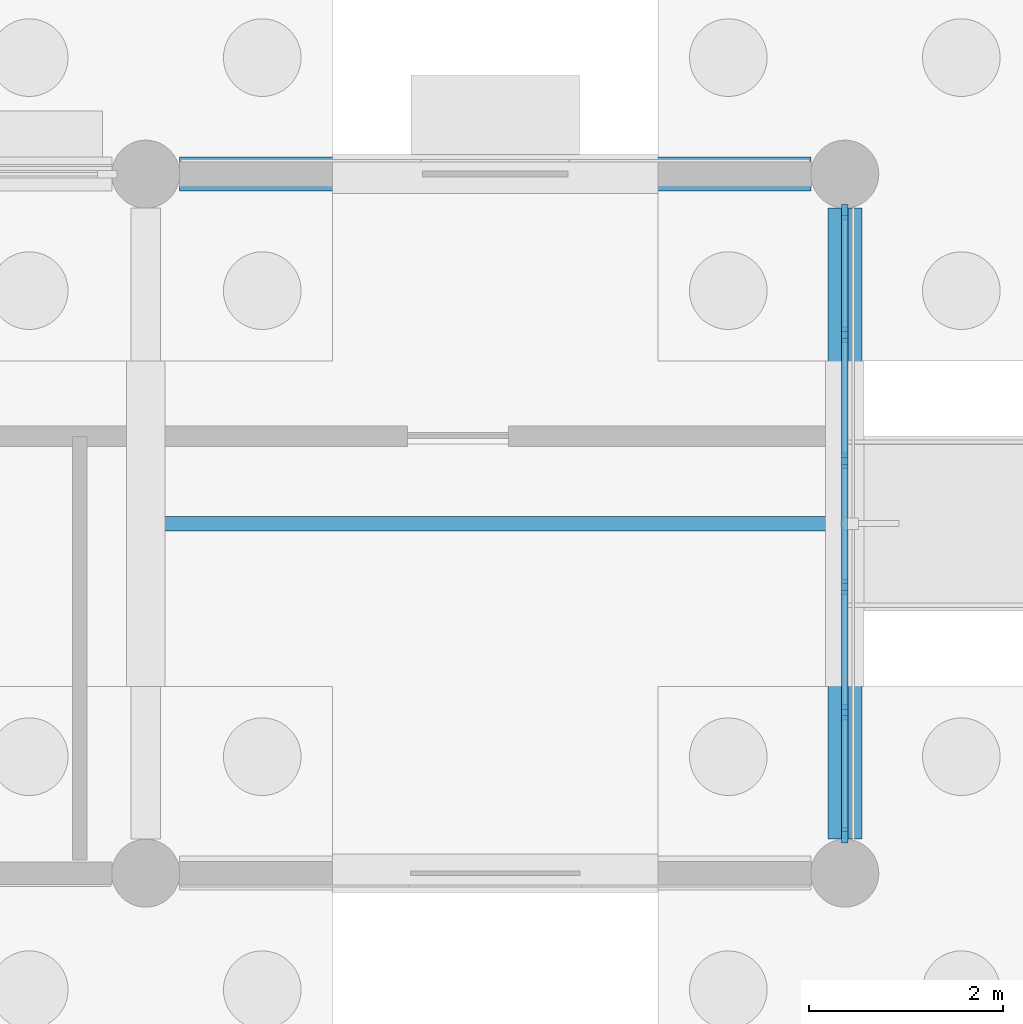
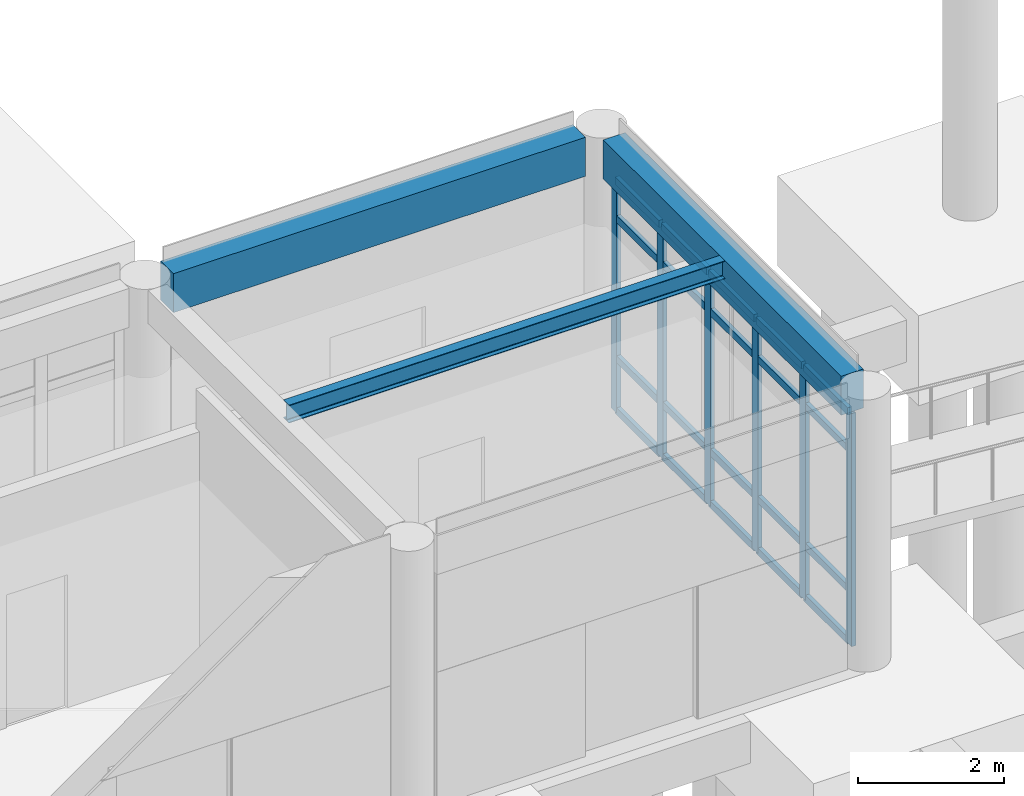
# One storey, part 38 of 103: 26 members, 3 beams, 1 element without a shape of its own.
"""IFC4 building model written with IfcOpenShell, lengths in metres."""

from ifc_helpers import new_model, si_unit, direction, frame, origin, origin_2d, place, context, subcontext, project, spatial, rectangle, i_section, extrude, material, layer, layer_set, material_profile, profile_set, type_object, element, aggregate, save


model = new_model("IFC4")

# Units and contexts
model_context = context("Model", 3, precision=1e-05, world=origin(), true_north=direction((0.0, 1.0)))
body_context = subcontext(model_context, "Body", "Model", "MODEL_VIEW")
ifc_project = project(units=[si_unit("LENGTHUNIT", "METRE"), si_unit("AREAUNIT", "SQUARE_METRE"), si_unit("VOLUMEUNIT", "CUBIC_METRE"), si_unit("PLANEANGLEUNIT", "RADIAN"), si_unit("MASSUNIT", "GRAM", prefix="KILO")], contexts=[model_context])

# Site, building, storey
site_placement = place(None, origin())
site = spatial("IfcSite", under=ifc_project, at=site_placement, CompositionType="ELEMENT")
building_placement = place(site_placement, origin())
building = spatial("IfcBuilding", under=site, at=building_placement, Name="Namkhue Oval Health Centre", CompositionType="ELEMENT")
storey_placement = place(building_placement, origin())
storey = spatial("IfcBuildingStorey", under=building, at=storey_placement, Name="L00", CompositionType="ELEMENT", Elevation=0.0)

# Curtain wall, members
ifc_material_1 = material(Name="Anodised aluminium EN AW-6063 T6", Category="aluminium")
ifc_layer = layer(ifc_material_1, 0.159912109375)
ifc_layer_set = layer_set([ifc_layer], Name="Anodised aluminium EN AW-6063 T6")
curtain_wall_type = type_object("IfcCurtainWallType", Name="UNITISED CURTAIN WALL M1200", PredefinedType="NOTDEFINED", material=ifc_layer_set)
curtain_wall_placement = place(storey_placement, origin())
curtain_wall = element("IfcCurtainWall", 1, at=curtain_wall_placement, inside=storey, type_object=curtain_wall_type, Name="Volume V3 L00 Unitised Curtain Wall 91", PredefinedType="NOTDEFINED")
ifc_material_profile_1 = material_profile(ifc_material_1, rectangle(XDim=0.06494140625, YDim=0.159912109375, at=origin_2d()), Name="ALU 65x160")
ifc_profile_set_1 = profile_set([ifc_material_profile_1], Name="Anodised aluminium EN AW-6063 T6")
member_type_1 = type_object("IfcMemberType", Name="CURTAIN WALL MULLION 65X160", PredefinedType="MULLION", material=ifc_profile_set_1)
member_1_placement = place(storey_placement, frame((136.800048828125, 90.392578125, 0.0), z_axis=(0.0, 0.0, 1.0), x_axis=(-1.0, 0.0, 0.0)))
member_1 = element("IfcMember", 2, at=member_1_placement, type_object=member_type_1, Name="CW-01 mullion 1", PredefinedType="MULLION", context=body_context, shape_type="SweptSolid", body=[
    extrude(rectangle(XDim=0.06494140625, YDim=0.159912109375, at=origin_2d()), origin(), (0.0, 0.0, 1.0), 3.885009765625),
])
member_2_placement = place(storey_placement, frame((136.800048828125, 91.656005859375, 0.0), z_axis=(0.0, 0.0, 1.0), x_axis=(-1.0, 0.0, 0.0)))
member_2 = element("IfcMember", 3, at=member_2_placement, type_object=member_type_1, Name="CW-01 mullion 2", PredefinedType="MULLION", context=body_context, shape_type="SweptSolid", body=[
    extrude(rectangle(XDim=0.06494140625, YDim=0.159912109375, at=origin_2d()), origin(), (0.0, 0.0, 1.0), 3.885009765625),
])
member_3_placement = place(storey_placement, frame((136.800048828125, 92.951904296875, 0.0), z_axis=(0.0, 0.0, 1.0), x_axis=(-1.0, 0.0, 0.0)))
member_3 = element("IfcMember", 4, at=member_3_placement, type_object=member_type_1, Name="CW-01 mullion 3", PredefinedType="MULLION", context=body_context, shape_type="SweptSolid", body=[
    extrude(rectangle(XDim=0.06494140625, YDim=0.159912109375, at=origin_2d()), origin(), (0.0, 0.0, 1.0), 3.885009765625),
])
member_4_placement = place(storey_placement, frame((136.800048828125, 94.248046875, 0.0), z_axis=(0.0, 0.0, 1.0), x_axis=(-1.0, 0.0, 0.0)))
member_4 = element("IfcMember", 5, at=member_4_placement, type_object=member_type_1, Name="CW-01 mullion 4", PredefinedType="MULLION", context=body_context, shape_type="SweptSolid", body=[
    extrude(rectangle(XDim=0.06494140625, YDim=0.159912109375, at=origin_2d()), origin(), (0.0, 0.0, 1.0), 3.885009765625),
])
member_5_placement = place(storey_placement, frame((136.800048828125, 95.5439453125, 0.0), z_axis=(0.0, 0.0, 1.0), x_axis=(-1.0, 0.0, 0.0)))
member_5 = element("IfcMember", 6, at=member_5_placement, type_object=member_type_1, Name="CW-01 mullion 5", PredefinedType="MULLION", context=body_context, shape_type="SweptSolid", body=[
    extrude(rectangle(XDim=0.06494140625, YDim=0.159912109375, at=origin_2d()), origin(), (0.0, 0.0, 1.0), 3.885009765625),
])
member_6_placement = place(storey_placement, frame((136.800048828125, 96.8076171875, 0.0), z_axis=(0.0, 0.0, 1.0), x_axis=(-1.0, 0.0, 0.0)))
member_6 = element("IfcMember", 7, at=member_6_placement, type_object=member_type_1, Name="CW-01 mullion 6", PredefinedType="MULLION", context=body_context, shape_type="SweptSolid", body=[
    extrude(rectangle(XDim=0.06494140625, YDim=0.159912109375, at=origin_2d()), origin(), (0.0, 0.0, 1.0), 3.885009765625),
])
ifc_material_profile_2 = material_profile(ifc_material_1, rectangle(XDim=0.06494140625, YDim=0.1201171875, at=origin_2d()), Name="ALU 65x120")
ifc_profile_set_2 = profile_set([ifc_material_profile_2], Name="Anodised aluminium EN AW-6063 T6")
member_type_2 = type_object("IfcMemberType", Name="CURTAIN WALL TRANSOM 65X120", PredefinedType="USERDEFINED", material=ifc_profile_set_2)
member_7_placement = place(storey_placement, frame((136.800048828125, 90.425048828125, 0.032470703125), z_axis=(0.0, 1.0, 0.0), x_axis=(-1.0, 0.0, 0.0)))
member_7 = element("IfcMember", 8, at=member_7_placement, type_object=member_type_2, Name="CW-01 transom 1.1", ObjectType="TRANSOM", PredefinedType="USERDEFINED", context=body_context, shape_type="SweptSolid", body=[
    extrude(rectangle(XDim=0.06494140625, YDim=0.1201171875, at=origin_2d()), origin(), (0.0, 0.0, 1.0), 1.198486328125),
])
member_8_placement = place(storey_placement, frame((136.800048828125, 90.425048828125, 0.89990234375), z_axis=(0.0, 1.0, 0.0), x_axis=(-1.0, 0.0, 0.0)))
member_8 = element("IfcMember", 9, at=member_8_placement, type_object=member_type_2, Name="CW-01 transom 1.2", ObjectType="TRANSOM", PredefinedType="USERDEFINED", context=body_context, shape_type="SweptSolid", body=[
    extrude(rectangle(XDim=0.06494140625, YDim=0.1201171875, at=origin_2d()), origin(), (0.0, 0.0, 1.0), 1.198486328125),
])
member_9_placement = place(storey_placement, frame((136.800048828125, 90.425048828125, 3.235107421875), z_axis=(0.0, 1.0, 0.0), x_axis=(-1.0, 0.0, 0.0)))
member_9 = element("IfcMember", 10, at=member_9_placement, type_object=member_type_2, Name="CW-01 transom 1.3", ObjectType="TRANSOM", PredefinedType="USERDEFINED", context=body_context, shape_type="SweptSolid", body=[
    extrude(rectangle(XDim=0.06494140625, YDim=0.1201171875, at=origin_2d()), origin(), (0.0, 0.0, 1.0), 1.198486328125),
])
member_10_placement = place(storey_placement, frame((136.800048828125, 90.425048828125, 3.8525390625), z_axis=(0.0, 1.0, 0.0), x_axis=(-1.0, 0.0, 0.0)))
member_10 = element("IfcMember", 11, at=member_10_placement, type_object=member_type_2, Name="CW-01 transom 1.4", ObjectType="TRANSOM", PredefinedType="USERDEFINED", context=body_context, shape_type="SweptSolid", body=[
    extrude(rectangle(XDim=0.06494140625, YDim=0.1201171875, at=origin_2d()), origin(), (0.0, 0.0, 1.0), 1.198486328125),
])
member_11_placement = place(storey_placement, frame((136.800048828125, 91.6884765625, 0.032470703125), z_axis=(0.0, 1.0, 0.0), x_axis=(-1.0, 0.0, 0.0)))
member_11 = element("IfcMember", 12, at=member_11_placement, type_object=member_type_2, Name="CW-01 transom 2.1", ObjectType="TRANSOM", PredefinedType="USERDEFINED", context=body_context, shape_type="SweptSolid", body=[
    extrude(rectangle(XDim=0.06494140625, YDim=0.1201171875, at=origin_2d()), origin(), (0.0, 0.0, 1.0), 1.23095703125),
])
member_12_placement = place(storey_placement, frame((136.800048828125, 91.6884765625, 0.89990234375), z_axis=(0.0, 1.0, 0.0), x_axis=(-1.0, 0.0, 0.0)))
member_12 = element("IfcMember", 13, at=member_12_placement, type_object=member_type_2, Name="CW-01 transom 2.2", ObjectType="TRANSOM", PredefinedType="USERDEFINED", context=body_context, shape_type="SweptSolid", body=[
    extrude(rectangle(XDim=0.06494140625, YDim=0.1201171875, at=origin_2d()), origin(), (0.0, 0.0, 1.0), 1.23095703125),
])
member_13_placement = place(storey_placement, frame((136.800048828125, 91.6884765625, 3.235107421875), z_axis=(0.0, 1.0, 0.0), x_axis=(-1.0, 0.0, 0.0)))
member_13 = element("IfcMember", 14, at=member_13_placement, type_object=member_type_2, Name="CW-01 transom 2.3", ObjectType="TRANSOM", PredefinedType="USERDEFINED", context=body_context, shape_type="SweptSolid", body=[
    extrude(rectangle(XDim=0.06494140625, YDim=0.1201171875, at=origin_2d()), origin(), (0.0, 0.0, 1.0), 1.23095703125),
])
member_14_placement = place(storey_placement, frame((136.800048828125, 91.6884765625, 3.8525390625), z_axis=(0.0, 1.0, 0.0), x_axis=(-1.0, 0.0, 0.0)))
member_14 = element("IfcMember", 15, at=member_14_placement, type_object=member_type_2, Name="CW-01 transom 2.4", ObjectType="TRANSOM", PredefinedType="USERDEFINED", context=body_context, shape_type="SweptSolid", body=[
    extrude(rectangle(XDim=0.06494140625, YDim=0.1201171875, at=origin_2d()), origin(), (0.0, 0.0, 1.0), 1.23095703125),
])
member_15_placement = place(storey_placement, frame((136.800048828125, 92.984619140625, 0.032470703125), z_axis=(0.0, 1.0, 0.0), x_axis=(-1.0, 0.0, 0.0)))
member_15 = element("IfcMember", 16, at=member_15_placement, type_object=member_type_2, Name="CW-01 transom 3.1", ObjectType="TRANSOM", PredefinedType="USERDEFINED", context=body_context, shape_type="SweptSolid", body=[
    extrude(rectangle(XDim=0.06494140625, YDim=0.1201171875, at=origin_2d()), origin(), (0.0, 0.0, 1.0), 1.23095703125),
])
member_16_placement = place(storey_placement, frame((136.800048828125, 92.984619140625, 0.89990234375), z_axis=(0.0, 1.0, 0.0), x_axis=(-1.0, 0.0, 0.0)))
member_16 = element("IfcMember", 17, at=member_16_placement, type_object=member_type_2, Name="CW-01 transom 3.2", ObjectType="TRANSOM", PredefinedType="USERDEFINED", context=body_context, shape_type="SweptSolid", body=[
    extrude(rectangle(XDim=0.06494140625, YDim=0.1201171875, at=origin_2d()), origin(), (0.0, 0.0, 1.0), 1.23095703125),
])
member_17_placement = place(storey_placement, frame((136.800048828125, 92.984619140625, 3.235107421875), z_axis=(0.0, 1.0, 0.0), x_axis=(-1.0, 0.0, 0.0)))
member_17 = element("IfcMember", 18, at=member_17_placement, type_object=member_type_2, Name="CW-01 transom 3.3", ObjectType="TRANSOM", PredefinedType="USERDEFINED", context=body_context, shape_type="SweptSolid", body=[
    extrude(rectangle(XDim=0.06494140625, YDim=0.1201171875, at=origin_2d()), origin(), (0.0, 0.0, 1.0), 1.23095703125),
])
member_18_placement = place(storey_placement, frame((136.800048828125, 92.984619140625, 3.8525390625), z_axis=(0.0, 1.0, 0.0), x_axis=(-1.0, 0.0, 0.0)))
member_18 = element("IfcMember", 19, at=member_18_placement, type_object=member_type_2, Name="CW-01 transom 3.4", ObjectType="TRANSOM", PredefinedType="USERDEFINED", context=body_context, shape_type="SweptSolid", body=[
    extrude(rectangle(XDim=0.06494140625, YDim=0.1201171875, at=origin_2d()), origin(), (0.0, 0.0, 1.0), 1.23095703125),
])
member_19_placement = place(storey_placement, frame((136.800048828125, 94.280517578125, 0.032470703125), z_axis=(0.0, 1.0, 0.0), x_axis=(-1.0, 0.0, 0.0)))
member_19 = element("IfcMember", 20, at=member_19_placement, type_object=member_type_2, Name="CW-01 transom 4.1", ObjectType="TRANSOM", PredefinedType="USERDEFINED", context=body_context, shape_type="SweptSolid", body=[
    extrude(rectangle(XDim=0.06494140625, YDim=0.1201171875, at=origin_2d()), origin(), (0.0, 0.0, 1.0), 1.23095703125),
])
member_20_placement = place(storey_placement, frame((136.800048828125, 94.280517578125, 0.89990234375), z_axis=(0.0, 1.0, 0.0), x_axis=(-1.0, 0.0, 0.0)))
member_20 = element("IfcMember", 21, at=member_20_placement, type_object=member_type_2, Name="CW-01 transom 4.2", ObjectType="TRANSOM", PredefinedType="USERDEFINED", context=body_context, shape_type="SweptSolid", body=[
    extrude(rectangle(XDim=0.06494140625, YDim=0.1201171875, at=origin_2d()), origin(), (0.0, 0.0, 1.0), 1.23095703125),
])
member_21_placement = place(storey_placement, frame((136.800048828125, 94.280517578125, 3.235107421875), z_axis=(0.0, 1.0, 0.0), x_axis=(-1.0, 0.0, 0.0)))
member_21 = element("IfcMember", 22, at=member_21_placement, type_object=member_type_2, Name="CW-01 transom 4.3", ObjectType="TRANSOM", PredefinedType="USERDEFINED", context=body_context, shape_type="SweptSolid", body=[
    extrude(rectangle(XDim=0.06494140625, YDim=0.1201171875, at=origin_2d()), origin(), (0.0, 0.0, 1.0), 1.23095703125),
])
member_22_placement = place(storey_placement, frame((136.800048828125, 94.280517578125, 3.8525390625), z_axis=(0.0, 1.0, 0.0), x_axis=(-1.0, 0.0, 0.0)))
member_22 = element("IfcMember", 23, at=member_22_placement, type_object=member_type_2, Name="CW-01 transom 4.4", ObjectType="TRANSOM", PredefinedType="USERDEFINED", context=body_context, shape_type="SweptSolid", body=[
    extrude(rectangle(XDim=0.06494140625, YDim=0.1201171875, at=origin_2d()), origin(), (0.0, 0.0, 1.0), 1.23095703125),
])
member_23_placement = place(storey_placement, frame((136.800048828125, 95.576416015625, 0.032470703125), z_axis=(0.0, 1.0, 0.0), x_axis=(-1.0, 0.0, 0.0)))
member_23 = element("IfcMember", 24, at=member_23_placement, type_object=member_type_2, Name="CW-01 transom 5.1", ObjectType="TRANSOM", PredefinedType="USERDEFINED", context=body_context, shape_type="SweptSolid", body=[
    extrude(rectangle(XDim=0.06494140625, YDim=0.1201171875, at=origin_2d()), origin(), (0.0, 0.0, 1.0), 1.198486328125),
])
member_24_placement = place(storey_placement, frame((136.800048828125, 95.576416015625, 0.89990234375), z_axis=(0.0, 1.0, 0.0), x_axis=(-1.0, 0.0, 0.0)))
member_24 = element("IfcMember", 25, at=member_24_placement, type_object=member_type_2, Name="CW-01 transom 5.2", ObjectType="TRANSOM", PredefinedType="USERDEFINED", context=body_context, shape_type="SweptSolid", body=[
    extrude(rectangle(XDim=0.06494140625, YDim=0.1201171875, at=origin_2d()), origin(), (0.0, 0.0, 1.0), 1.198486328125),
])
member_25_placement = place(storey_placement, frame((136.800048828125, 95.576416015625, 3.235107421875), z_axis=(0.0, 1.0, 0.0), x_axis=(-1.0, 0.0, 0.0)))
member_25 = element("IfcMember", 26, at=member_25_placement, type_object=member_type_2, Name="CW-01 transom 5.3", ObjectType="TRANSOM", PredefinedType="USERDEFINED", context=body_context, shape_type="SweptSolid", body=[
    extrude(rectangle(XDim=0.06494140625, YDim=0.1201171875, at=origin_2d()), origin(), (0.0, 0.0, 1.0), 1.198486328125),
])
member_26_placement = place(storey_placement, frame((136.800048828125, 95.576416015625, 3.8525390625), z_axis=(0.0, 1.0, 0.0), x_axis=(-1.0, 0.0, 0.0)))
member_26 = element("IfcMember", 27, at=member_26_placement, type_object=member_type_2, Name="CW-01 transom 5.4", ObjectType="TRANSOM", PredefinedType="USERDEFINED", context=body_context, shape_type="SweptSolid", body=[
    extrude(rectangle(XDim=0.06494140625, YDim=0.1201171875, at=origin_2d()), origin(), (0.0, 0.0, 1.0), 1.198486328125),
])
aggregate(curtain_wall, [member_1, member_2, member_3, member_4, member_5, member_6, member_7, member_8, member_9, member_10, member_11, member_12, member_13, member_14, member_15, member_16, member_17, member_18, member_19, member_20, member_21, member_22, member_23, member_24, member_25, member_26])

# Beams
ifc_material_2 = material(Name="Reinforced concrete C35/45 (TCVN B40)", Category="concrete")
ifc_material_profile_3 = material_profile(ifc_material_2, rectangle(XDim=0.35009765625, YDim=0.64990234375, at=origin_2d()), Name="RC 350x650")
ifc_profile_set_3 = profile_set([ifc_material_profile_3], Name="Reinforced concrete C35/45 (TCVN B40)")
beam_type_1 = type_object("IfcBeamType", Name="PERIMETER SPANDREL BEAM 350X650", PredefinedType="SPANDREL", material=ifc_profile_set_3)
for number, where, z_axis, x_axis, name in (
    (28, (129.949951171875, 97.199951171875, 4.2099609375), (1.0, 0.0, 0.0), (0.0, 1.0, 0.0), "Volume V3 L01 Girder O/19-20"),
    (29, (136.800048828125, 90.35009765625, 4.2099609375), (0.0, 1.0, 0.0), (-1.0, 0.0, 0.0), "Volume V3 L01 Beam 20/N-O"),
):
    element("IfcBeam", number, at=place(storey_placement, frame(where, z_axis=z_axis, x_axis=x_axis)), inside=storey, type_object=beam_type_1, Name=name, PredefinedType="SPANDREL", context=body_context, shape_type="SweptSolid", body=[
        extrude(rectangle(XDim=0.35009765625, YDim=0.64990234375, at=origin_2d()), origin(), (0.0, 0.0, 1.0), 6.5),
    ])
ifc_material_3 = material(Name="Structural steel EN 10025-2 S355JR (TCVN 5575:2024)", Category="steel")
ifc_material_profile_4 = material_profile(ifc_material_3, i_section(OverallWidth=0.14990234375, OverallDepth=0.300048828125, WebThickness=0.007080078125, FlangeThickness=0.0107421875, FilletRadius=0.014892578125, at=origin_2d()), Name="IPE 300")
ifc_profile_set_4 = profile_set([ifc_material_profile_4], Name="Structural steel EN 10025-2 S355JR (TCVN 5575:2024)")
beam_type_2 = type_object("IfcBeamType", Name="SECONDARY JOIST STEEL IPE 300", PredefinedType="JOIST", material=ifc_profile_set_4)
beam_placement = place(storey_placement, frame((129.75, 93.60009765625, 4.385009765625), z_axis=(1.0, 0.0, 0.0), x_axis=(0.0, 1.0, 0.0)))
element("IfcBeam", 30, at=beam_placement, inside=storey, type_object=beam_type_2, Name="Volume V3 L01 Secondary Joist 19-20", PredefinedType="JOIST", context=body_context, shape_type="SweptSolid", body=[
    extrude(i_section(OverallWidth=0.14990234375, OverallDepth=0.300048828125, WebThickness=0.007080078125, FlangeThickness=0.0107421875, FilletRadius=0.014892578125, at=origin_2d()), origin(), (0.0, 0.0, 1.0), 6.875),
])

save(model, "model.ifc")
